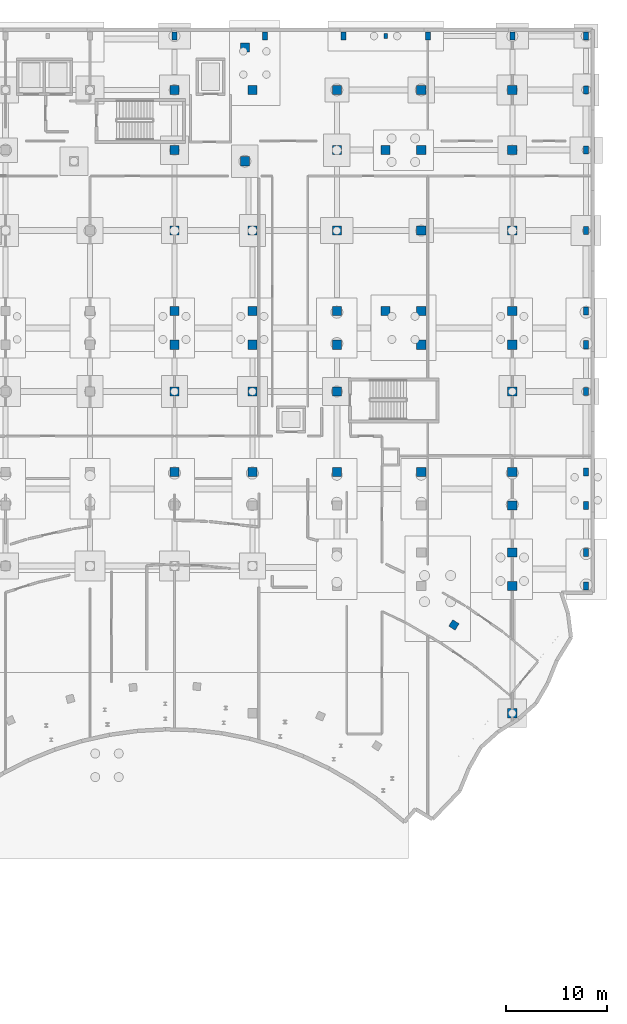
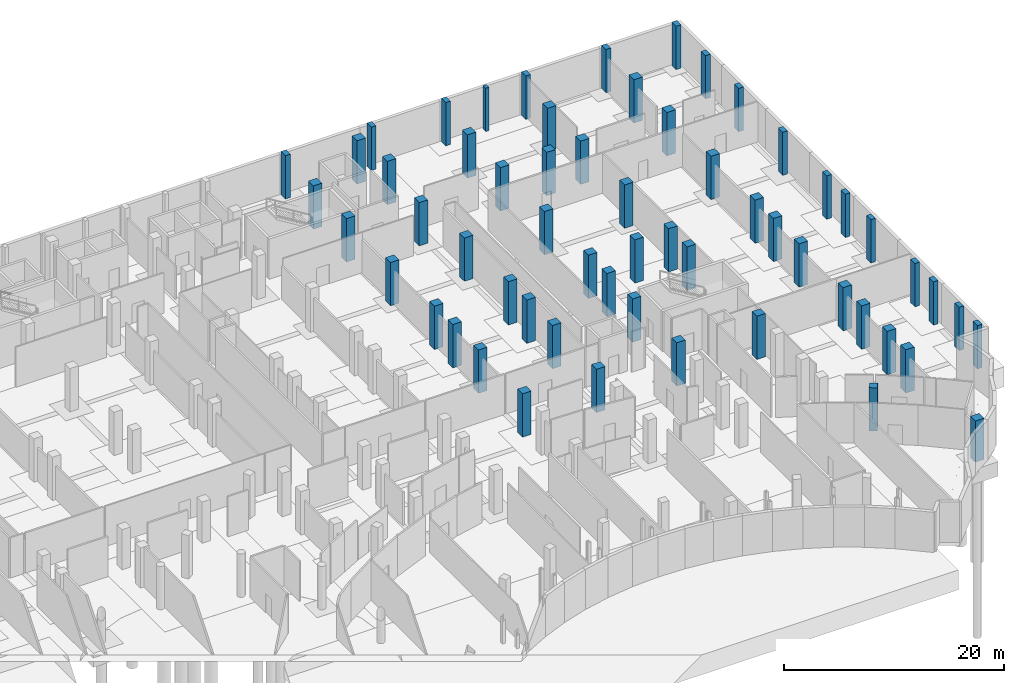
# One storey, part 23 of 45: 59 columns.
"""IFC4 building model written with IfcOpenShell, lengths in metres."""

from ifc_helpers import new_model, si_unit, direction, frame, origin, origin_2d, place, context, subcontext, project, spatial, rectangle, extrude, material, material_profile, profile_set, type_object, element, save


model = new_model("IFC4")

# Units and contexts
model_context = context("Model", 3, precision=1e-05, world=origin(), true_north=direction((0.0, 1.0)))
body_context = subcontext(model_context, "Body", "Model", "MODEL_VIEW")
ifc_project = project(units=[si_unit("LENGTHUNIT", "METRE"), si_unit("AREAUNIT", "SQUARE_METRE"), si_unit("VOLUMEUNIT", "CUBIC_METRE"), si_unit("PLANEANGLEUNIT", "RADIAN"), si_unit("MASSUNIT", "GRAM", prefix="KILO")], contexts=[model_context])

# Site, building, storey
site_placement = place(None, origin())
site = spatial("IfcSite", under=ifc_project, at=site_placement, CompositionType="ELEMENT")
building_placement = place(site_placement, origin())
building = spatial("IfcBuilding", under=site, at=building_placement, Name="Selatvlak General Hospital", CompositionType="ELEMENT")
storey_placement = place(building_placement, frame((0.0, 0.0, -4.800048828125)))
storey = spatial("IfcBuildingStorey", under=building, at=storey_placement, Name="B1", CompositionType="ELEMENT", Elevation=-4.800048828125)

# Columns
ifc_material_1 = material(Name="Concrete C40/50", Category="concrete")
ifc_material_profile_1 = material_profile(ifc_material_1, rectangle(XDim=0.35009765625, YDim=0.5, at=origin_2d()), Name="RC-PIL 500x350")
ifc_profile_set_1 = profile_set([ifc_material_profile_1], Name="Concrete C40/50")
column_type_1 = type_object("IfcColumnType", Name="COL-PIL50", PredefinedType="PILASTER", material=ifc_profile_set_1)
column_1_placement = place(storey_placement, frame((161.39990234375, 119.35009765625, 0.0), z_axis=(0.0, 0.0, 1.0), x_axis=(1.0, 0.0, 0.0)))
element("IfcColumn", 1, at=column_1_placement, inside=storey, type_object=column_type_1, Name="Inboard core pilaster 6 on B1", PredefinedType="PILASTER", context=body_context, shape_type="SweptSolid", body=[
    extrude(rectangle(XDim=0.35009765625, YDim=0.5, at=origin_2d()), origin(), (0.0, 0.0, 1.0), 4.800048828125),
])
ifc_material_2 = material(Name="Concrete C50/60", Category="concrete")
ifc_material_profile_2 = material_profile(ifc_material_2, rectangle(XDim=0.75, YDim=0.75, at=origin_2d()), Name="RC-COL 750x750")
ifc_profile_set_2 = profile_set([ifc_material_profile_2], Name="Concrete C50/60")
column_type_2 = type_object("IfcColumnType", Name="COL-RC75", PredefinedType="COLUMN", material=ifc_profile_set_2)
column_2_placement = place(storey_placement, frame((168.197998046875, 60.783935546875, 0.0), z_axis=(0.0, 0.0, 1.0), x_axis=(0.537064068078, 0.843541455282, 0.0)))
element("IfcColumn", 2, at=column_2_placement, inside=storey, type_object=column_type_2, Name="Column 349 on B1", PredefinedType="COLUMN", context=body_context, shape_type="SweptSolid", body=[
    extrude(rectangle(XDim=0.75, YDim=0.75, at=origin_2d()), origin(), (0.0, 0.0, 1.0), 4.800048828125),
])
ifc_material_profile_3 = material_profile(ifc_material_2, rectangle(XDim=0.5, YDim=0.800048828125, at=origin_2d()), Name="RC-COL 800x500")
ifc_profile_set_3 = profile_set([ifc_material_profile_3], Name="Concrete C50/60")
column_type_3 = type_object("IfcColumnType", Name="COL-RC85", PredefinedType="COLUMN", material=ifc_profile_set_3)
for number, where, z_axis, x_axis, name in (
    (3, (149.39990234375, 119.35009765625, 0.0), (0.0, 0.0, 1.0), (1.0, 0.0, 0.0), "Column 122 on B1"),
    (4, (157.199951171875, 119.35009765625, 0.0), (0.0, 0.0, 1.0), (1.0, 0.0, 0.0), "Column 123 on B1"),
    (5, (165.60009765625, 119.35009765625, 0.0), (0.0, 0.0, 1.0), (1.0, 0.0, 0.0), "Column 124 on B1"),
    (6, (174.0, 119.35009765625, 0.0), (0.0, 0.0, 1.0), (1.0, 0.0, 0.0), "Column 125 on B1"),
    (7, (181.35009765625, 119.35009765625, 0.0), (0.0, 0.0, 1.0), (1.0, 0.0, 0.0), "Column 126 on B1"),
    (8, (140.39990234375, 119.35009765625, 0.0), (0.0, 0.0, 1.0), (1.0, 0.0, 0.0), "Column 264 on B1"),
    (9, (181.35009765625, 64.64990234375, 0.0), (0.0, 0.0, 1.0), (1.0, 0.0, 0.0), "Column 304 on B1"),
    (10, (181.35009765625, 68.0, 0.0), (0.0, 0.0, 1.0), (1.0, 0.0, 0.0), "Column 305 on B1"),
    (11, (181.35009765625, 72.64990234375, 0.0), (0.0, 0.0, 1.0), (1.0, 0.0, 0.0), "Column 306 on B1"),
    (12, (181.35009765625, 76.0, 0.0), (0.0, 0.0, 1.0), (1.0, 0.0, 0.0), "Column 307 on B1"),
    (13, (181.35009765625, 84.0, 0.0), (0.0, 0.0, 1.0), (1.0, 0.0, 0.0), "Column 308 on B1"),
    (14, (181.35009765625, 88.64990234375, 0.0), (0.0, 0.0, 1.0), (1.0, 0.0, 0.0), "Column 309 on B1"),
    (15, (181.35009765625, 92.0, 0.0), (0.0, 0.0, 1.0), (1.0, 0.0, 0.0), "Column 310 on B1"),
    (16, (181.35009765625, 100.0, 0.0), (0.0, 0.0, 1.0), (1.0, 0.0, 0.0), "Column 311 on B1"),
    (17, (181.35009765625, 108.0, 0.0), (0.0, 0.0, 1.0), (1.0, 0.0, 0.0), "Column 312 on B1"),
    (18, (181.35009765625, 114.0, 0.0), (0.0, 0.0, 1.0), (1.0, 0.0, 0.0), "Column 313 on B1"),
):
    element("IfcColumn", number, at=place(storey_placement, frame(where, z_axis=z_axis, x_axis=x_axis)), inside=storey, type_object=column_type_3, Name=name, PredefinedType="COLUMN", context=body_context, shape_type="SweptSolid", body=[
        extrude(rectangle(XDim=0.5, YDim=0.800048828125, at=origin_2d()), origin(), (0.0, 0.0, 1.0), 4.800048828125),
    ])
ifc_material_profile_4 = material_profile(ifc_material_2, rectangle(XDim=0.89990234375, YDim=0.89990234375, at=origin_2d()), Name="RC-COL 900x900")
ifc_profile_set_4 = profile_set([ifc_material_profile_4], Name="Concrete C50/60")
column_type_4 = type_object("IfcColumnType", Name="COL-RC90", PredefinedType="COLUMN", material=ifc_profile_set_4)
for number, where, z_axis, x_axis, name in (
    (19, (147.39990234375, 106.89990234375, 0.0), (0.0, 0.0, 1.0), (1.0, 0.0, 0.0), "Column 056 on B1"),
    (20, (147.39990234375, 118.199951171875, 0.0), (0.0, 0.0, 1.0), (1.0, 0.0, 0.0), "Column 059 on B1"),
    (21, (161.39990234375, 92.0, 0.0), (0.0, 0.0, 1.0), (1.0, 0.0, 0.0), "Column 113 on B1"),
    (22, (161.39990234375, 108.0, 0.0), (0.0, 0.0, 1.0), (1.0, 0.0, 0.0), "Column 114 on B1"),
    (23, (140.39990234375, 76.0, 0.0), (0.0, 0.0, 1.0), (1.0, 0.0, 0.0), "Column 257 on B1"),
    (24, (140.39990234375, 84.0, 0.0), (0.0, 0.0, 1.0), (1.0, 0.0, 0.0), "Column 258 on B1"),
    (25, (140.39990234375, 88.64990234375, 0.0), (0.0, 0.0, 1.0), (1.0, 0.0, 0.0), "Column 259 on B1"),
    (26, (140.39990234375, 92.0, 0.0), (0.0, 0.0, 1.0), (1.0, 0.0, 0.0), "Column 260 on B1"),
    (27, (140.39990234375, 100.0, 0.0), (0.0, 0.0, 1.0), (1.0, 0.0, 0.0), "Column 261 on B1"),
    (28, (140.39990234375, 108.0, 0.0), (0.0, 0.0, 1.0), (1.0, 0.0, 0.0), "Column 262 on B1"),
    (29, (140.39990234375, 114.0, 0.0), (0.0, 0.0, 1.0), (1.0, 0.0, 0.0), "Column 263 on B1"),
    (30, (148.14990234375, 76.0, 0.0), (0.0, 0.0, 1.0), (1.0, 0.0, 0.0), "Column 268 on B1"),
    (31, (148.14990234375, 84.0, 0.0), (0.0, 0.0, 1.0), (1.0, 0.0, 0.0), "Column 269 on B1"),
    (32, (148.14990234375, 88.64990234375, 0.0), (0.0, 0.0, 1.0), (1.0, 0.0, 0.0), "Column 270 on B1"),
    (33, (148.14990234375, 92.0, 0.0), (0.0, 0.0, 1.0), (1.0, 0.0, 0.0), "Column 271 on B1"),
    (34, (148.14990234375, 100.0, 0.0), (0.0, 0.0, 1.0), (1.0, 0.0, 0.0), "Column 272 on B1"),
    (35, (148.14990234375, 114.0, 0.0), (0.0, 0.0, 1.0), (1.0, 0.0, 0.0), "Column 273 on B1"),
    (36, (156.550048828125, 76.0, 0.0), (0.0, 0.0, 1.0), (1.0, 0.0, 0.0), "Column 277 on B1"),
    (37, (156.550048828125, 84.0, 0.0), (0.0, 0.0, 1.0), (1.0, 0.0, 0.0), "Column 278 on B1"),
    (38, (156.550048828125, 88.64990234375, 0.0), (0.0, 0.0, 1.0), (1.0, 0.0, 0.0), "Column 279 on B1"),
    (39, (156.550048828125, 92.0, 0.0), (0.0, 0.0, 1.0), (1.0, 0.0, 0.0), "Column 280 on B1"),
    (40, (156.550048828125, 100.0, 0.0), (0.0, 0.0, 1.0), (1.0, 0.0, 0.0), "Column 281 on B1"),
    (41, (156.550048828125, 108.0, 0.0), (0.0, 0.0, 1.0), (1.0, 0.0, 0.0), "Column 282 on B1"),
    (42, (156.550048828125, 114.0, 0.0), (0.0, 0.0, 1.0), (1.0, 0.0, 0.0), "Column 283 on B1"),
    (43, (164.949951171875, 76.0, 0.0), (0.0, 0.0, 1.0), (1.0, 0.0, 0.0), "Column 287 on B1"),
    (44, (164.949951171875, 88.64990234375, 0.0), (0.0, 0.0, 1.0), (1.0, 0.0, 0.0), "Column 288 on B1"),
    (45, (164.949951171875, 92.0, 0.0), (0.0, 0.0, 1.0), (1.0, 0.0, 0.0), "Column 289 on B1"),
    (46, (164.949951171875, 100.0, 0.0), (0.0, 0.0, 1.0), (1.0, 0.0, 0.0), "Column 290 on B1"),
    (47, (164.949951171875, 108.0, 0.0), (0.0, 0.0, 1.0), (1.0, 0.0, 0.0), "Column 291 on B1"),
    (48, (164.949951171875, 114.0, 0.0), (0.0, 0.0, 1.0), (1.0, 0.0, 0.0), "Column 292 on B1"),
):
    element("IfcColumn", number, at=place(storey_placement, frame(where, z_axis=z_axis, x_axis=x_axis)), inside=storey, type_object=column_type_4, Name=name, PredefinedType="COLUMN", context=body_context, shape_type="SweptSolid", body=[
        extrude(rectangle(XDim=0.89990234375, YDim=0.89990234375, at=origin_2d()), origin(), (0.0, 0.0, 1.0), 4.800048828125),
    ])
column_3_placement = place(storey_placement, frame((174.0, 52.0, 0.0), z_axis=(0.0, 0.0, 1.0), x_axis=(1.0, 0.0, 0.0)))
element("IfcColumn", 49, at=column_3_placement, inside=storey, type_object=column_type_4, Name="Column 293 on B1", PredefinedType="COLUMN", context=body_context, shape_type="SweptSolid", body=[
    extrude(rectangle(XDim=0.89990234375, YDim=0.89990234375, at=origin_2d()), origin(), (0.0, 0.0, 1.0), 4.56494140625),
])
for number, where, z_axis, x_axis, name in (
    (50, (174.0, 64.64990234375, 0.0), (0.0, 0.0, 1.0), (1.0, 0.0, 0.0), "Column 294 on B1"),
    (51, (174.0, 68.0, 0.0), (0.0, 0.0, 1.0), (1.0, 0.0, 0.0), "Column 295 on B1"),
    (52, (174.0, 72.64990234375, 0.0), (0.0, 0.0, 1.0), (1.0, 0.0, 0.0), "Column 296 on B1"),
    (53, (174.0, 76.0, 0.0), (0.0, 0.0, 1.0), (1.0, 0.0, 0.0), "Column 297 on B1"),
    (54, (174.0, 84.0, 0.0), (0.0, 0.0, 1.0), (1.0, 0.0, 0.0), "Column 298 on B1"),
    (55, (174.0, 88.64990234375, 0.0), (0.0, 0.0, 1.0), (1.0, 0.0, 0.0), "Column 299 on B1"),
    (56, (174.0, 92.0, 0.0), (0.0, 0.0, 1.0), (1.0, 0.0, 0.0), "Column 300 on B1"),
    (57, (174.0, 100.0, 0.0), (0.0, 0.0, 1.0), (1.0, 0.0, 0.0), "Column 301 on B1"),
    (58, (174.0, 108.0, 0.0), (0.0, 0.0, 1.0), (1.0, 0.0, 0.0), "Column 302 on B1"),
    (59, (174.0, 114.0, 0.0), (0.0, 0.0, 1.0), (1.0, 0.0, 0.0), "Column 303 on B1"),
):
    element("IfcColumn", number, at=place(storey_placement, frame(where, z_axis=z_axis, x_axis=x_axis)), inside=storey, type_object=column_type_4, Name=name, PredefinedType="COLUMN", context=body_context, shape_type="SweptSolid", body=[
        extrude(rectangle(XDim=0.89990234375, YDim=0.89990234375, at=origin_2d()), origin(), (0.0, 0.0, 1.0), 4.800048828125),
    ])

save(model, "model.ifc")
